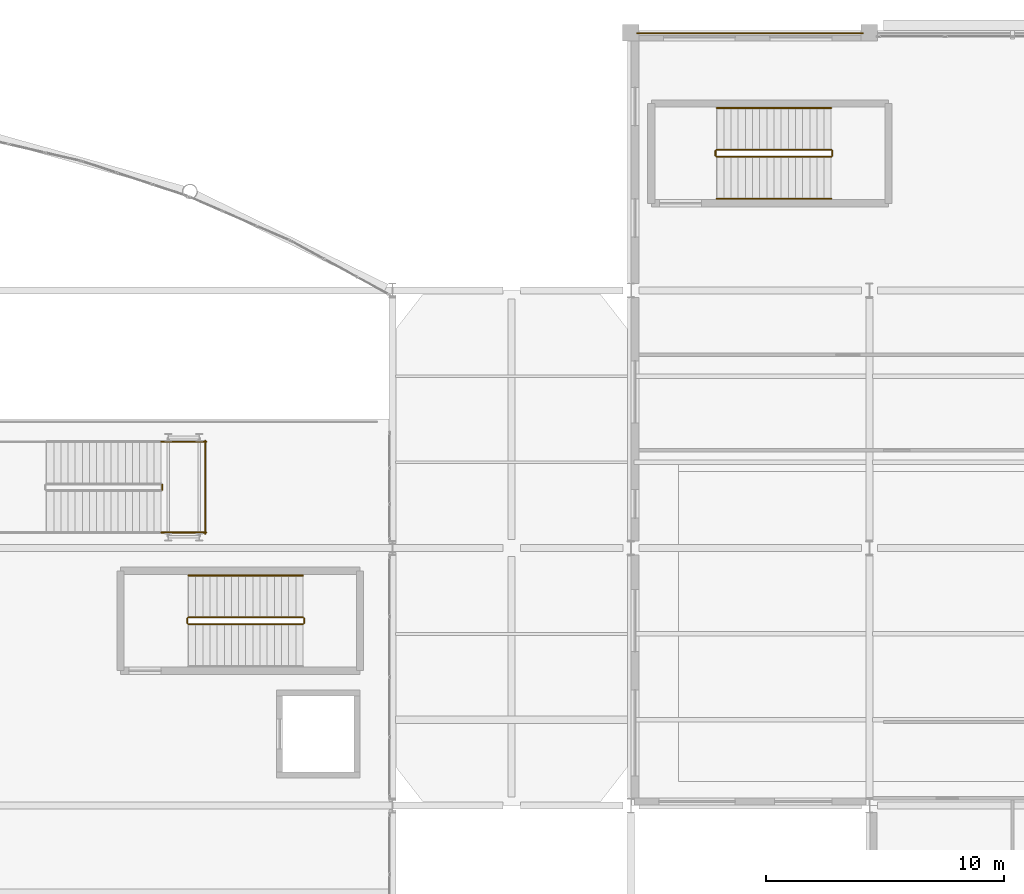
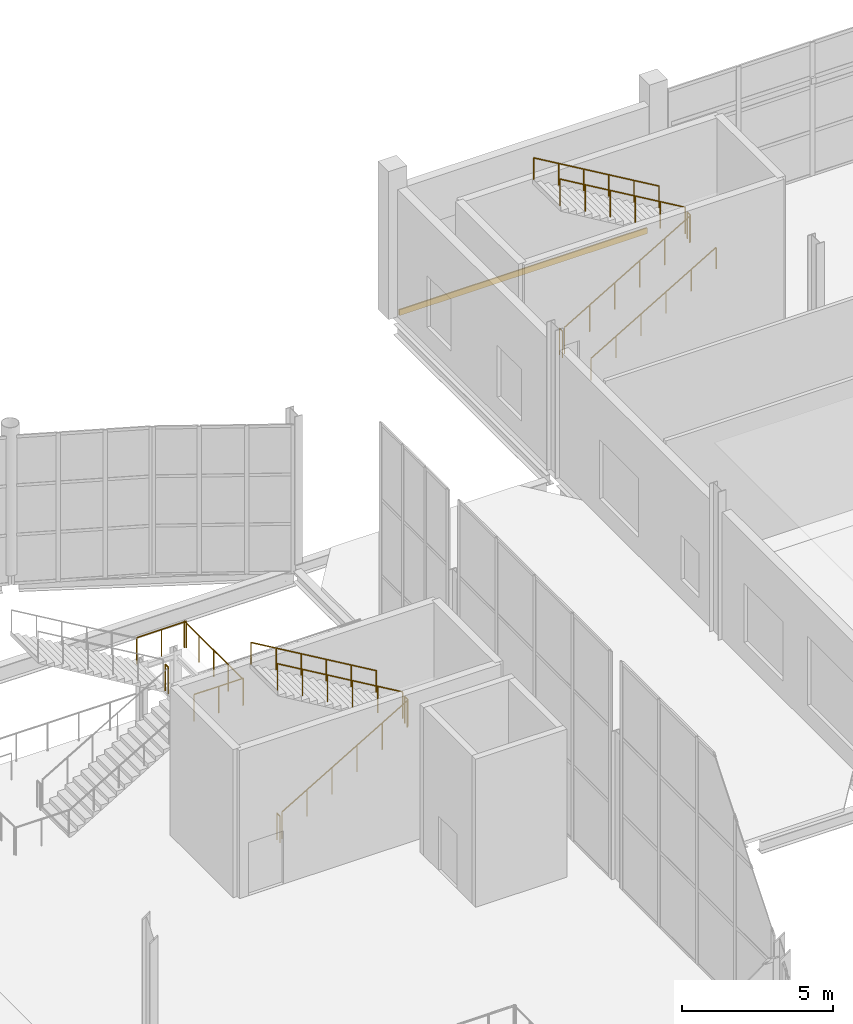
# One storey, part 187 of 191: 15 railings, 1 covering.
"""IFC4 building model written with IfcOpenShell, lengths in metres."""

from ifc_helpers import new_model, si_unit, direction, frame, origin, origin_2d, place, context, subcontext, project, spatial, rectangle, circle, extrude, material, layer, layer_set, type_object, element, save


model = new_model("IFC4")

# Units and contexts
model_context = context("Model", 3, precision=1e-05, world=origin(), true_north=direction((0.0, 1.0)))
body_context = subcontext(model_context, "Body", "Model", "MODEL_VIEW")
ifc_project = project(units=[si_unit("LENGTHUNIT", "METRE"), si_unit("AREAUNIT", "SQUARE_METRE"), si_unit("VOLUMEUNIT", "CUBIC_METRE"), si_unit("PLANEANGLEUNIT", "RADIAN"), si_unit("MASSUNIT", "GRAM", prefix="KILO")], contexts=[model_context])

# Site, building, storey
site_placement = place(None, origin())
site = spatial("IfcSite", under=ifc_project, at=site_placement, CompositionType="ELEMENT")
building_placement = place(site_placement, origin())
building = spatial("IfcBuilding", under=site, at=building_placement, Name="Tamarisk Ironworks Central Station", CompositionType="ELEMENT")
storey_placement = place(building_placement, frame((0.0, 0.0, 6.60009765625)))
storey = spatial("IfcBuildingStorey", under=building, at=storey_placement, Name="L01", CompositionType="ELEMENT", Elevation=6.60009765625)

# Covering
ifc_material_1 = material(Name="Clay facing brickwork and mortar", Category="masonry")
ifc_layer = layer(ifc_material_1, 0.050048828125)
ifc_layer_set = layer_set([ifc_layer], Name="Clay facing brickwork and mortar")
covering_type = type_object("IfcCoveringType", Name="COV-CLAD", PredefinedType="CLADDING", material=ifc_layer_set)
covering_placement = place(storey_placement, frame((123.0, 122.389892578125, -0.240234375), z_axis=(0.0, 0.0, 1.0), x_axis=(1.0, 0.0, 0.0)))
element("IfcCovering", 1, at=covering_placement, inside=storey, type_object=covering_type, Name="L01 terracotta slab-edge spandrel cladding 002", PredefinedType="CLADDING", context=body_context, shape_type="SweptSolid", body=[
    extrude(rectangle(XDim=9.5, YDim=0.050048828125, at=origin_2d()), origin(), (0.0, 0.0, 1.0), 0.239990234375),
])

# Railings
ifc_material_2 = material(Name="Laminated solar-control low-E glass", Category="glass")
railing_type_1 = type_object("IfcRailingType", Name="RL-GUARD-GLASS", PredefinedType="BALUSTRADE", material=ifc_material_2)
railing_1_placement = place(storey_placement, frame((98.35009765625, 103.25, 3.0)))
element("IfcRailing", 2, at=railing_1_placement, inside=storey, type_object=railing_type_1, Name="L01 ST-MZ2 stair guard 2", PredefinedType="BALUSTRADE", context=body_context, shape_type="SweptSolid", body=[
    extrude(circle(Radius=0.02392578125, at=origin_2d()), frame((0.0, 0.0, 1.076171875), z_axis=(0.0, 1.0, 0.0), x_axis=(-1.0, 0.0, 0.0)), (0.0, 0.0, 1.0), 0.199951171875),
    extrude(circle(Radius=0.02099609375, at=origin_2d()), origin(), (0.0, 0.0, 1.0), 1.052001953125),
    extrude(circle(Radius=0.02099609375, at=origin_2d()), frame((0.0, 0.199951171875, 0.0)), (0.0, 0.0, 1.0), 1.052001953125),
])
for number, where, name in (
    (3, (98.300048828125, 101.449951171875, 3.0), "L01 ST-MZ2 stair guard 3"),
    (4, (98.300048828125, 105.25, 3.0), "L01 ST-MZ2 stair guard 4"),
):
    element("IfcRailing", number, at=place(storey_placement, frame(where)), inside=storey, type_object=railing_type_1, Name=name, PredefinedType="BALUSTRADE", context=body_context, shape_type="SweptSolid", body=[
        extrude(circle(Radius=0.02392578125, at=origin_2d()), frame((0.0, 0.0, 1.076171875), z_axis=(1.0, 0.0, 0.0), x_axis=(0.0, 1.0, 0.0)), (0.0, 0.0, 1.0), 1.89990234375),
        extrude(circle(Radius=0.02099609375, at=origin_2d()), origin(), (0.0, 0.0, 1.0), 1.052001953125),
        extrude(circle(Radius=0.02099609375, at=origin_2d()), frame((0.949951171875, 0.0, 0.0)), (0.0, 0.0, 1.0), 1.052001953125),
        extrude(circle(Radius=0.02099609375, at=origin_2d()), frame((1.89990234375, 0.0, 0.0)), (0.0, 0.0, 1.0), 1.052001953125),
    ])
railing_2_placement = place(storey_placement, frame((100.14990234375, 101.39990234375, 3.0)))
element("IfcRailing", 5, at=railing_2_placement, inside=storey, type_object=railing_type_1, Name="L01 ST-MZ2 stair guard 5", PredefinedType="BALUSTRADE", context=body_context, shape_type="SweptSolid", body=[
    extrude(circle(Radius=0.02392578125, at=origin_2d()), frame((0.0, 0.0, 1.076171875), z_axis=(0.0, 1.0, 0.0), x_axis=(-1.0, 0.0, 0.0)), (0.0, 0.0, 1.0), 3.900146484375),
    extrude(circle(Radius=0.02099609375, at=origin_2d()), origin(), (0.0, 0.0, 1.0), 1.052001953125),
    extrude(circle(Radius=0.02099609375, at=origin_2d()), frame((0.0, 0.97509765625, 0.0)), (0.0, 0.0, 1.0), 1.052001953125),
    extrude(circle(Radius=0.02099609375, at=origin_2d()), frame((0.0, 1.9501953125, 0.0)), (0.0, 0.0, 1.0), 1.052001953125),
    extrude(circle(Radius=0.02099609375, at=origin_2d()), frame((0.0, 2.925048828125, 0.0)), (0.0, 0.0, 1.0), 1.052001953125),
    extrude(circle(Radius=0.02099609375, at=origin_2d()), frame((0.0, 3.900146484375, 0.0)), (0.0, 0.0, 1.0), 1.052001953125),
])
ifc_material_3 = material(Name="Brushed stainless steel AISI 316", Category="steel")
railing_type_2 = type_object("IfcRailingType", Name="RL-GUARD-INT", PredefinedType="BALUSTRADE", material=ifc_material_3)
railing_3_placement = place(storey_placement, frame((121.60009765625, 117.199951171875, 0.17626953125)))
element("IfcRailing", 6, at=railing_3_placement, inside=storey, type_object=railing_type_2, Name="L01 ST-C5 stair guard 1", PredefinedType="BALUSTRADE", context=body_context, shape_type="SweptSolid", body=[
    extrude(circle(Radius=0.02392578125, at=origin_2d()), frame((0.0, 0.0, 1.076171875), z_axis=(0.861909419865, 0.0, 0.507062276203), x_axis=(0.0, 1.0, 0.0)), (0.0, 0.0, 1.0), 5.56884765625),
    extrude(circle(Radius=0.02099609375, at=origin_2d()), origin(), (0.0, 0.0, 1.0), 1.052001953125),
    extrude(circle(Radius=0.02099609375, at=origin_2d()), frame((0.9599609375, 0.0, 0.564697265625)), (0.0, 0.0, 1.0), 1.052001953125),
    extrude(circle(Radius=0.02099609375, at=origin_2d()), frame((1.919921875, 0.0, 1.12939453125)), (0.0, 0.0, 1.0), 1.052001953125),
    extrude(circle(Radius=0.02099609375, at=origin_2d()), frame((2.8798828125, 0.0, 1.6943359375)), (0.0, 0.0, 1.0), 1.052001953125),
    extrude(circle(Radius=0.02099609375, at=origin_2d()), frame((3.83984375, 0.0, 2.259033203125)), (0.0, 0.0, 1.0), 1.052001953125),
    extrude(circle(Radius=0.02099609375, at=origin_2d()), frame((4.7998046875, 0.0, 2.82373046875)), (0.0, 0.0, 1.0), 1.052001953125),
])
railing_4_placement = place(storey_placement, frame((126.449951171875, 117.25, 3.0)))
element("IfcRailing", 7, at=railing_4_placement, inside=storey, type_object=railing_type_2, Name="L01 ST-C5 stair guard 2", PredefinedType="BALUSTRADE", context=body_context, shape_type="SweptSolid", body=[
    extrude(circle(Radius=0.02392578125, at=origin_2d()), frame((0.0, 0.0, 1.076171875), z_axis=(0.0, 1.0, 0.0), x_axis=(-1.0, 0.0, 0.0)), (0.0, 0.0, 1.0), 0.199951171875),
    extrude(circle(Radius=0.02099609375, at=origin_2d()), origin(), (0.0, 0.0, 1.0), 1.052001953125),
    extrude(circle(Radius=0.02099609375, at=origin_2d()), frame((0.0, 0.199951171875, 0.0)), (0.0, 0.0, 1.0), 1.052001953125),
])
railing_5_placement = place(storey_placement, frame((126.39990234375, 117.5, 3.17626953125)))
element("IfcRailing", 8, at=railing_5_placement, inside=storey, type_object=railing_type_2, Name="L01 ST-C5 stair guard 3", PredefinedType="BALUSTRADE", context=body_context, shape_type="SweptSolid", body=[
    extrude(circle(Radius=0.02392578125, at=origin_2d()), frame((0.0, 0.0, 1.076171875), z_axis=(-0.861909419865, 0.0, 0.507062276203), x_axis=(0.0, -1.0, 0.0)), (0.0, 0.0, 1.0), 5.56884765625),
    extrude(circle(Radius=0.02099609375, at=origin_2d()), origin(), (0.0, 0.0, 1.0), 1.052001953125),
    extrude(circle(Radius=0.02099609375, at=origin_2d()), frame((-0.9599609375, 0.0, 0.564697265625)), (0.0, 0.0, 1.0), 1.052001953125),
    extrude(circle(Radius=0.02099609375, at=origin_2d()), frame((-1.919921875, 0.0, 1.12939453125)), (0.0, 0.0, 1.0), 1.052001953125),
    extrude(circle(Radius=0.02099609375, at=origin_2d()), frame((-2.8798828125, 0.0, 1.6943359375)), (0.0, 0.0, 1.0), 1.052001953125),
    extrude(circle(Radius=0.02099609375, at=origin_2d()), frame((-3.83984375, 0.0, 2.259033203125)), (0.0, 0.0, 1.0), 1.052001953125),
    extrude(circle(Radius=0.02099609375, at=origin_2d()), frame((-4.7998046875, 0.0, 2.82373046875)), (0.0, 0.0, 1.0), 1.052001953125),
])
railing_6_placement = place(storey_placement, frame((121.550048828125, 117.25, 0.0)))
element("IfcRailing", 9, at=railing_6_placement, inside=storey, type_object=railing_type_2, Name="L01 ST-C5 stair guard 4", PredefinedType="BALUSTRADE", context=body_context, shape_type="SweptSolid", body=[
    extrude(circle(Radius=0.02392578125, at=origin_2d()), frame((0.0, 0.0, 1.076171875), z_axis=(0.0, 1.0, 0.0), x_axis=(-1.0, 0.0, 0.0)), (0.0, 0.0, 1.0), 0.199951171875),
    extrude(circle(Radius=0.02099609375, at=origin_2d()), origin(), (0.0, 0.0, 1.0), 1.052001953125),
    extrude(circle(Radius=0.02099609375, at=origin_2d()), frame((0.0, 0.199951171875, 0.0)), (0.0, 0.0, 1.0), 1.052001953125),
])
railing_7_placement = place(storey_placement, frame((99.449951171875, 97.60009765625, 0.17626953125)))
element("IfcRailing", 10, at=railing_7_placement, inside=storey, type_object=railing_type_2, Name="L01 ST-C4 stair guard 1", PredefinedType="BALUSTRADE", context=body_context, shape_type="SweptSolid", body=[
    extrude(circle(Radius=0.02392578125, at=origin_2d()), frame((0.0, 0.0, 1.076171875), z_axis=(0.861920691219, 0.0, 0.507043116558), x_axis=(0.0, 1.0, 0.0)), (0.0, 0.0, 1.0), 5.569091796875),
    extrude(circle(Radius=0.02099609375, at=origin_2d()), origin(), (0.0, 0.0, 1.0), 1.052001953125),
    extrude(circle(Radius=0.02099609375, at=origin_2d()), frame((0.9599609375, 0.0, 0.564697265625)), (0.0, 0.0, 1.0), 1.052001953125),
    extrude(circle(Radius=0.02099609375, at=origin_2d()), frame((1.919921875, 0.0, 1.12939453125)), (0.0, 0.0, 1.0), 1.052001953125),
    extrude(circle(Radius=0.02099609375, at=origin_2d()), frame((2.880126953125, 0.0, 1.6943359375)), (0.0, 0.0, 1.0), 1.052001953125),
    extrude(circle(Radius=0.02099609375, at=origin_2d()), frame((3.840087890625, 0.0, 2.259033203125)), (0.0, 0.0, 1.0), 1.052001953125),
    extrude(circle(Radius=0.02099609375, at=origin_2d()), frame((4.800048828125, 0.0, 2.82373046875)), (0.0, 0.0, 1.0), 1.052001953125),
])
railing_8_placement = place(storey_placement, frame((104.300048828125, 97.64990234375, 3.0)))
element("IfcRailing", 11, at=railing_8_placement, inside=storey, type_object=railing_type_2, Name="L01 ST-C4 stair guard 2", PredefinedType="BALUSTRADE", context=body_context, shape_type="SweptSolid", body=[
    extrude(circle(Radius=0.02392578125, at=origin_2d()), frame((0.0, 0.0, 1.076171875), z_axis=(0.0, 1.0, 0.0), x_axis=(-1.0, 0.0, 0.0)), (0.0, 0.0, 1.0), 0.2001953125),
    extrude(circle(Radius=0.02099609375, at=origin_2d()), origin(), (0.0, 0.0, 1.0), 1.052001953125),
    extrude(circle(Radius=0.02099609375, at=origin_2d()), frame((0.0, 0.2001953125, 0.0)), (0.0, 0.0, 1.0), 1.052001953125),
])
railing_9_placement = place(storey_placement, frame((104.25, 97.89990234375, 3.17626953125)))
element("IfcRailing", 12, at=railing_9_placement, inside=storey, type_object=railing_type_2, Name="L01 ST-C4 stair guard 3", PredefinedType="BALUSTRADE", context=body_context, shape_type="SweptSolid", body=[
    extrude(circle(Radius=0.02392578125, at=origin_2d()), frame((0.0, 0.0, 1.076171875), z_axis=(-0.861920691219, 0.0, 0.507043116558), x_axis=(0.0, -1.0, 0.0)), (0.0, 0.0, 1.0), 5.569091796875),
    extrude(circle(Radius=0.02099609375, at=origin_2d()), origin(), (0.0, 0.0, 1.0), 1.052001953125),
    extrude(circle(Radius=0.02099609375, at=origin_2d()), frame((-0.9599609375, 0.0, 0.564697265625)), (0.0, 0.0, 1.0), 1.052001953125),
    extrude(circle(Radius=0.02099609375, at=origin_2d()), frame((-1.919921875, 0.0, 1.12939453125)), (0.0, 0.0, 1.0), 1.052001953125),
    extrude(circle(Radius=0.02099609375, at=origin_2d()), frame((-2.880126953125, 0.0, 1.6943359375)), (0.0, 0.0, 1.0), 1.052001953125),
    extrude(circle(Radius=0.02099609375, at=origin_2d()), frame((-3.840087890625, 0.0, 2.259033203125)), (0.0, 0.0, 1.0), 1.052001953125),
    extrude(circle(Radius=0.02099609375, at=origin_2d()), frame((-4.800048828125, 0.0, 2.82373046875)), (0.0, 0.0, 1.0), 1.052001953125),
])
railing_10_placement = place(storey_placement, frame((99.39990234375, 97.64990234375, 0.0)))
element("IfcRailing", 13, at=railing_10_placement, inside=storey, type_object=railing_type_2, Name="L01 ST-C4 stair guard 4", PredefinedType="BALUSTRADE", context=body_context, shape_type="SweptSolid", body=[
    extrude(circle(Radius=0.02392578125, at=origin_2d()), frame((0.0, 0.0, 1.076171875), z_axis=(0.0, 1.0, 0.0), x_axis=(-1.0, 0.0, 0.0)), (0.0, 0.0, 1.0), 0.2001953125),
    extrude(circle(Radius=0.02099609375, at=origin_2d()), origin(), (0.0, 0.0, 1.0), 1.052001953125),
    extrude(circle(Radius=0.02099609375, at=origin_2d()), frame((0.0, 0.2001953125, 0.0)), (0.0, 0.0, 1.0), 1.052001953125),
])
railing_type_3 = type_object("IfcRailingType", Name="RL-HAND", PredefinedType="HANDRAIL", material=ifc_material_3)
railing_11_placement = place(storey_placement, frame((121.60009765625, 115.449951171875, 0.17626953125)))
element("IfcRailing", 14, at=railing_11_placement, inside=storey, type_object=railing_type_3, Name="L01 ST-C5 stair handrail 1", PredefinedType="HANDRAIL", context=body_context, shape_type="SweptSolid", body=[
    extrude(circle(Radius=0.02392578125, at=origin_2d()), frame((0.0, 0.0, 0.8759765625), z_axis=(0.861909419865, 0.0, 0.507062276203), x_axis=(0.0, 1.0, 0.0)), (0.0, 0.0, 1.0), 5.56884765625),
    extrude(circle(Radius=0.02099609375, at=origin_2d()), origin(), (0.0, 0.0, 1.0), 0.851806640625),
    extrude(circle(Radius=0.02099609375, at=origin_2d()), frame((0.9599609375, 0.0, 0.564697265625)), (0.0, 0.0, 1.0), 0.851806640625),
    extrude(circle(Radius=0.02099609375, at=origin_2d()), frame((1.919921875, 0.0, 1.12939453125)), (0.0, 0.0, 1.0), 0.851806640625),
    extrude(circle(Radius=0.02099609375, at=origin_2d()), frame((2.8798828125, 0.0, 1.6943359375)), (0.0, 0.0, 1.0), 0.851806640625),
    extrude(circle(Radius=0.02099609375, at=origin_2d()), frame((3.83984375, 0.0, 2.259033203125)), (0.0, 0.0, 1.0), 0.851806640625),
    extrude(circle(Radius=0.02099609375, at=origin_2d()), frame((4.7998046875, 0.0, 2.82373046875)), (0.0, 0.0, 1.0), 0.851806640625),
])
railing_12_placement = place(storey_placement, frame((126.39990234375, 119.25, 3.17626953125)))
element("IfcRailing", 15, at=railing_12_placement, inside=storey, type_object=railing_type_3, Name="L01 ST-C5 stair handrail 2", PredefinedType="HANDRAIL", context=body_context, shape_type="SweptSolid", body=[
    extrude(circle(Radius=0.02392578125, at=origin_2d()), frame((0.0, 0.0, 0.8759765625), z_axis=(-0.861909419865, 0.0, 0.507062276203), x_axis=(0.0, -1.0, 0.0)), (0.0, 0.0, 1.0), 5.56884765625),
    extrude(circle(Radius=0.02099609375, at=origin_2d()), origin(), (0.0, 0.0, 1.0), 0.851806640625),
    extrude(circle(Radius=0.02099609375, at=origin_2d()), frame((-0.9599609375, 0.0, 0.564697265625)), (0.0, 0.0, 1.0), 0.851806640625),
    extrude(circle(Radius=0.02099609375, at=origin_2d()), frame((-1.919921875, 0.0, 1.12939453125)), (0.0, 0.0, 1.0), 0.851806640625),
    extrude(circle(Radius=0.02099609375, at=origin_2d()), frame((-2.8798828125, 0.0, 1.6943359375)), (0.0, 0.0, 1.0), 0.851806640625),
    extrude(circle(Radius=0.02099609375, at=origin_2d()), frame((-3.83984375, 0.0, 2.259033203125)), (0.0, 0.0, 1.0), 0.851806640625),
    extrude(circle(Radius=0.02099609375, at=origin_2d()), frame((-4.7998046875, 0.0, 2.82373046875)), (0.0, 0.0, 1.0), 0.851806640625),
])
railing_13_placement = place(storey_placement, frame((104.25, 99.64990234375, 3.17626953125)))
element("IfcRailing", 16, at=railing_13_placement, inside=storey, type_object=railing_type_3, Name="L01 ST-C4 stair handrail 2", PredefinedType="HANDRAIL", context=body_context, shape_type="SweptSolid", body=[
    extrude(circle(Radius=0.02392578125, at=origin_2d()), frame((0.0, 0.0, 0.8759765625), z_axis=(-0.861920691219, 0.0, 0.507043116558), x_axis=(0.0, -1.0, 0.0)), (0.0, 0.0, 1.0), 5.569091796875),
    extrude(circle(Radius=0.02099609375, at=origin_2d()), origin(), (0.0, 0.0, 1.0), 0.851806640625),
    extrude(circle(Radius=0.02099609375, at=origin_2d()), frame((-0.9599609375, 0.0, 0.564697265625)), (0.0, 0.0, 1.0), 0.851806640625),
    extrude(circle(Radius=0.02099609375, at=origin_2d()), frame((-1.919921875, 0.0, 1.12939453125)), (0.0, 0.0, 1.0), 0.851806640625),
    extrude(circle(Radius=0.02099609375, at=origin_2d()), frame((-2.880126953125, 0.0, 1.6943359375)), (0.0, 0.0, 1.0), 0.851806640625),
    extrude(circle(Radius=0.02099609375, at=origin_2d()), frame((-3.840087890625, 0.0, 2.259033203125)), (0.0, 0.0, 1.0), 0.851806640625),
    extrude(circle(Radius=0.02099609375, at=origin_2d()), frame((-4.800048828125, 0.0, 2.82373046875)), (0.0, 0.0, 1.0), 0.851806640625),
])

save(model, "model.ifc")
